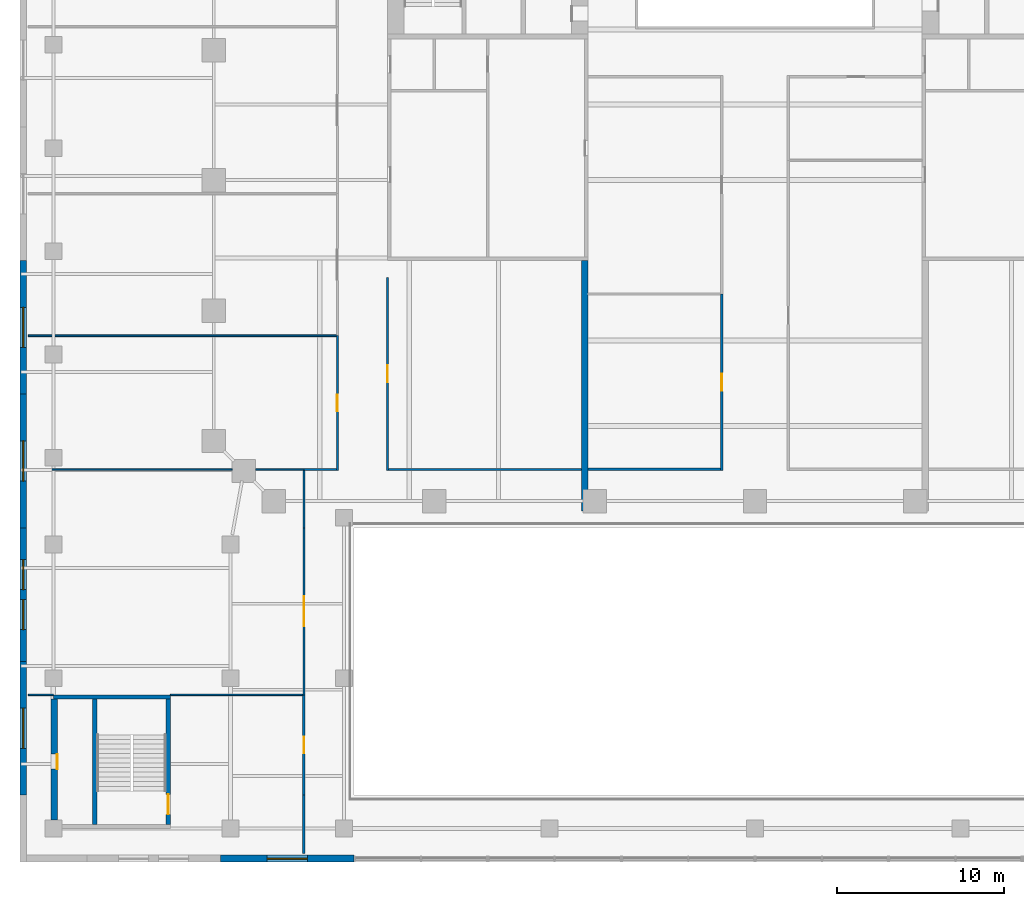
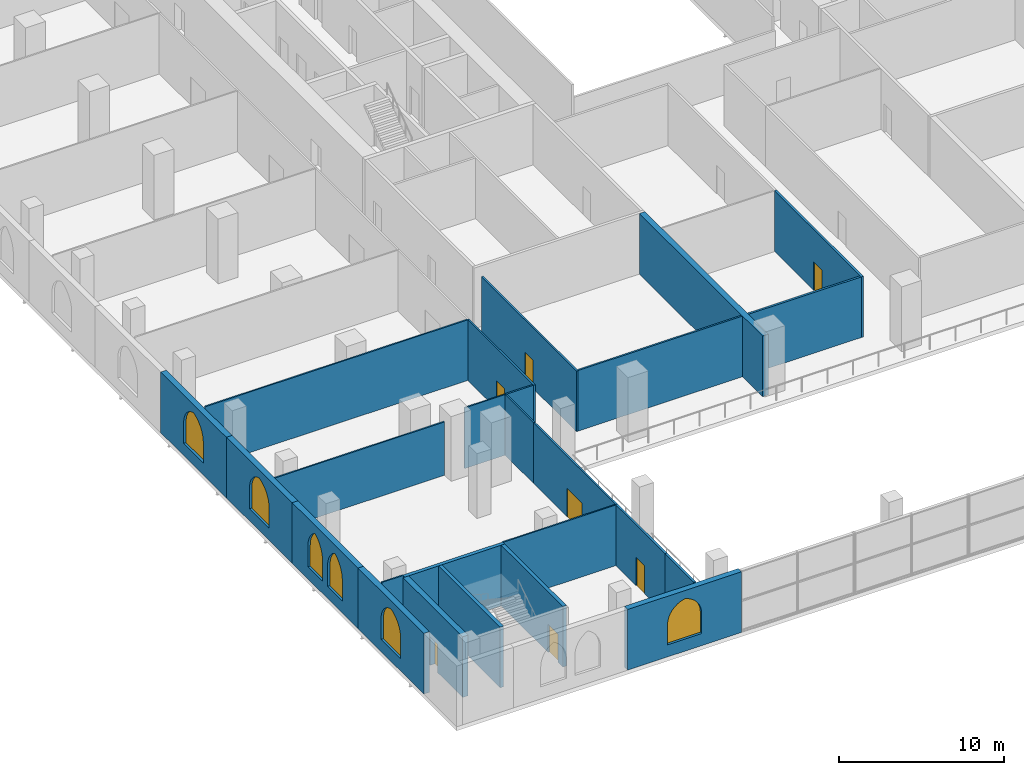
# One storey, part 8 of 19: 25 walls, 7 doors, 6 windows, 13 openings.
"""IFC4 building model written with IfcOpenShell, lengths in metres."""

from ifc_helpers import new_model, si_unit, direction, frame, frame_2d, origin, place, context, subcontext, project, spatial, polyline, rectangle, outline, extrude, material, layer, layer_set, type_object, element, fill, save


model = new_model("IFC4")

# Units and contexts
model_context = context("Model", 3, precision=1e-05, world=origin(), true_north=direction((0.0, 1.0)))
body_context = subcontext(model_context, "Body", "Model", "MODEL_VIEW")
ifc_project = project(units=[si_unit("LENGTHUNIT", "METRE"), si_unit("AREAUNIT", "SQUARE_METRE"), si_unit("VOLUMEUNIT", "CUBIC_METRE"), si_unit("PLANEANGLEUNIT", "RADIAN"), si_unit("MASSUNIT", "GRAM", prefix="KILO")], contexts=[model_context])

# Site, building, storey
site_placement = place(None, origin())
site = spatial("IfcSite", under=ifc_project, at=site_placement, CompositionType="ELEMENT")
building_placement = place(site_placement, origin())
building = spatial("IfcBuilding", under=site, at=building_placement, Name="Ogive Exchange Tower", CompositionType="ELEMENT")
storey_placement = place(building_placement, frame((0.0, 0.0, 19.199951171875)))
storey = spatial("IfcBuildingStorey", under=building, at=storey_placement, Name="L03", CompositionType="ELEMENT", Elevation=19.199951171875)

# Walls
ifc_material_1 = material(Name="Concrete C70/85", Category="concrete")
ifc_layer_1 = layer(ifc_material_1, 0.39990234375)
ifc_layer_set_1 = layer_set([ifc_layer_1], Name="Concrete C70/85 spine wall 400")
wall_type_1 = type_object("IfcWallType", Name="Concrete C70/85 spine wall 400", PredefinedType="SHEAR", material=ifc_layer_set_1)
wall_1_placement = place(storey_placement, frame((-10.199951171875, -31.0, 0.0), z_axis=(0.0, 0.0, 1.0), x_axis=(0.0, 1.0, 0.0)))
element("IfcWall", 1, at=wall_1_placement, inside=storey, type_object=wall_type_1, Name="Spine wall SW", PredefinedType="SHEAR", context=body_context, shape_type="SweptSolid", body=[
    extrude(rectangle(XDim=15.0, YDim=0.39990234375, at=frame_2d((7.5, 0.0))), origin(), (0.0, 0.0, 1.0), 4.5),
])
ifc_material_2 = material(Name="Fire partition EI 60 150")
ifc_layer_2 = layer(ifc_material_2, 0.14990234375)
ifc_layer_set_2 = layer_set([ifc_layer_2], Name="Fire partition EI 60 150")
wall_type_2 = type_object("IfcWallType", Name="Fire partition EI 60 150", PredefinedType="PARTITIONING", material=ifc_layer_set_2)
wall_2_placement = place(storey_placement, frame((-10.0, -28.5, 0.0), z_axis=(0.0, 0.0, 1.0), x_axis=(1.0, 0.0, 0.0)))
element("IfcWall", 2, at=wall_2_placement, inside=storey, type_object=wall_type_2, Name="L03-PWL-009", PredefinedType="PARTITIONING", context=body_context, shape_type="SweptSolid", body=[
    extrude(rectangle(XDim=7.925048828125, YDim=0.14990234375, at=frame_2d((3.96240234375, 0.0))), origin(), (0.0, 0.0, 1.0), 4.5),
])
wall_3_placement = place(storey_placement, frame((-27.0, -51.5, 0.0), z_axis=(0.0, 0.0, 1.0), x_axis=(0.0, 1.0, 0.0)))
element("IfcWall", 3, at=wall_3_placement, inside=storey, type_object=wall_type_2, Name="L03-PWL-039", PredefinedType="PARTITIONING", context=body_context, shape_type="SweptSolid", body=[
    extrude(rectangle(XDim=3.5, YDim=0.14990234375, at=frame_2d((1.75, 0.0))), origin(), (0.0, 0.0, 1.0), 4.5),
])

# Wall, opening, door
wall_4_placement = place(storey_placement, frame((-27.0, -48.0, 0.0), z_axis=(0.0, 0.0, 1.0), x_axis=(0.0, 1.0, 0.0)))
wall_4 = element("IfcWall", 4, at=wall_4_placement, inside=storey, type_object=wall_type_2, Name="L03-PWL-040", PredefinedType="PARTITIONING", context=body_context, shape_type="SweptSolid", body=[
    extrude(rectangle(XDim=6.0, YDim=0.14990234375, at=frame_2d((3.0, 0.0))), origin(), (0.0, 0.0, 1.0), 4.5),
])
opening_1_placement = place(wall_4_placement, frame((2.5, 0.0, 0.0)))
opening_1 = element("IfcOpeningElement", 5, at=opening_1_placement, cuts=wall_4, Name="Opening L03-I14", PredefinedType="OPENING", context=body_context, shape_type="SweptSolid", body=[
    extrude(rectangle(XDim=1.0, YDim=2.10009765625, at=frame_2d((0.5, 1.050048828125))), frame((0.0, 0.0849609375, 0.0), z_axis=(0.0, -1.0, 0.0), x_axis=(1.0, 0.0, 0.0)), (0.0, 0.0, 1.0), 0.169921875),
])
ifc_material_3 = material(Name="Fire door FD 30S 1000 x 2100")
door_type_1 = type_object("IfcDoorType", Name="Fire door FD 30S 1000 x 2100", OperationType="NOTDEFINED", PredefinedType="DOOR", material=ifc_material_3)
door_1_placement = place(opening_1_placement, origin())
door_1 = element("IfcDoor", 6, at=door_1_placement, inside=storey, type_object=door_type_1, Name="L03-IDR-014", ObjectType="DT3", OperationType="SINGLE_SWING_LEFT", OverallHeight=2.10009765625, OverallWidth=1.0, PredefinedType="DOOR", context=body_context, shape_type="SweptSolid", body=[
    extrude(rectangle(XDim=1.0, YDim=2.10009765625, at=frame_2d((0.5, 1.050048828125))), frame((0.0, 0.02490234375, 0.0), z_axis=(0.0, -1.0, 0.0), x_axis=(1.0, 0.0, 0.0)), (0.0, 0.0, 1.0), 0.050048828125),
])
fill(opening_1, door_1)

wall_5_placement = place(storey_placement, frame((-2.0, -28.574951171875, 0.0), z_axis=(0.0, 0.0, 1.0), x_axis=(0.0, 1.0, 0.0)))
wall_5 = element("IfcWall", 7, at=wall_5_placement, inside=storey, type_object=wall_type_2, Name="L03-PWL-051", PredefinedType="PARTITIONING", context=body_context, shape_type="SweptSolid", body=[
    extrude(rectangle(XDim=10.574951171875, YDim=0.14990234375, at=frame_2d((5.28759765625, 0.0))), origin(), (0.0, 0.0, 1.0), 4.5),
])
opening_2_placement = place(wall_5_placement, frame((4.78759765625, 0.0, 0.0)))
opening_2 = element("IfcOpeningElement", 8, at=opening_2_placement, cuts=wall_5, Name="Opening L03-I20", PredefinedType="OPENING", context=body_context, shape_type="SweptSolid", body=[
    extrude(rectangle(XDim=1.0, YDim=2.10009765625, at=frame_2d((0.5, 1.050048828125))), frame((0.0, 0.0849609375, 0.0), z_axis=(0.0, -1.0, 0.0), x_axis=(1.0, 0.0, 0.0)), (0.0, 0.0, 1.0), 0.169921875),
])
door_2_placement = place(opening_2_placement, origin())
door_2 = element("IfcDoor", 9, at=door_2_placement, inside=storey, type_object=door_type_1, Name="L03-IDR-020", ObjectType="DT3", OperationType="SINGLE_SWING_LEFT", OverallHeight=2.10009765625, OverallWidth=1.0, PredefinedType="DOOR", context=body_context, shape_type="SweptSolid", body=[
    extrude(rectangle(XDim=1.0, YDim=2.10009765625, at=frame_2d((0.5, 1.050048828125))), frame((0.0, 0.02490234375, 0.0), z_axis=(0.0, -1.0, 0.0), x_axis=(1.0, 0.0, 0.0)), (0.0, 0.0, 1.0), 0.050048828125),
])
fill(opening_2, door_2)

# Walls
ifc_material_4 = material(Name="Glazed fire partition EI 60 120")
ifc_layer_3 = layer(ifc_material_4, 0.1201171875)
ifc_layer_set_3 = layer_set([ifc_layer_3], Name="Glazed fire partition EI 60 120")
wall_type_3 = type_object("IfcWallType", Name="Glazed fire partition EI 60 120", PredefinedType="PARTITIONING", material=ifc_layer_set_3)
wall_6_placement = place(storey_placement, frame((-27.0, -28.5, 0.0), z_axis=(0.0, 0.0, 1.0), x_axis=(1.0, 0.0, 0.0)))
element("IfcWall", 10, at=wall_6_placement, inside=storey, type_object=wall_type_3, Name="L03-PWL-007", PredefinedType="PARTITIONING", context=body_context, shape_type="SweptSolid", body=[
    extrude(rectangle(XDim=1.93994140625, YDim=0.1201171875, at=frame_2d((0.969970703125, 0.0))), origin(), (0.0, 0.0, 1.0), 4.5),
])
wall_7_placement = place(storey_placement, frame((-21.93994140625, -28.5, 0.0), z_axis=(0.0, 0.0, 1.0), x_axis=(1.0, 0.0, 0.0)))
element("IfcWall", 11, at=wall_7_placement, inside=storey, type_object=wall_type_3, Name="L03-PWL-008", PredefinedType="PARTITIONING", context=body_context, shape_type="SweptSolid", body=[
    extrude(rectangle(XDim=11.5400390625, YDim=0.1201171875, at=frame_2d((5.77001953125, 0.0))), origin(), (0.0, 0.0, 1.0), 4.5),
])

# Wall, opening, door
wall_8_placement = place(storey_placement, frame((-27.0, -42.0, 0.0), z_axis=(0.0, 0.0, 1.0), x_axis=(0.0, 1.0, 0.0)))
wall_8 = element("IfcWall", 12, at=wall_8_placement, inside=storey, type_object=wall_type_3, Name="L03-PWL-041", PredefinedType="PARTITIONING", context=body_context, shape_type="SweptSolid", body=[
    extrude(rectangle(XDim=10.0, YDim=0.1201171875, at=frame_2d((5.0, 0.0))), origin(), (0.0, 0.0, 1.0), 4.5),
])
opening_3_placement = place(wall_8_placement, frame((4.10009765625, 0.0, 0.0)))
opening_3 = element("IfcOpeningElement", 13, at=opening_3_placement, cuts=wall_8, Name="Opening L03-I15", PredefinedType="OPENING", context=body_context, shape_type="SweptSolid", body=[
    extrude(rectangle(XDim=1.800048828125, YDim=2.10009765625, at=frame_2d((0.89990234375, 1.050048828125))), frame((0.0, 0.070068359375, 0.0), z_axis=(0.0, -1.0, 0.0), x_axis=(1.0, 0.0, 0.0)), (0.0, 0.0, 1.0), 0.14013671875),
])
ifc_material_5 = material(Name="Fire door FD 30S 1800 x 2100")
door_type_2 = type_object("IfcDoorType", Name="Fire door FD 30S 1800 x 2100", OperationType="DOUBLE_DOOR_SINGLE_SWING", PredefinedType="DOOR", material=ifc_material_5)
door_3_placement = place(opening_3_placement, origin())
door_3 = element("IfcDoor", 14, at=door_3_placement, inside=storey, type_object=door_type_2, Name="L03-IDR-015", ObjectType="DT4", OperationType="SINGLE_SWING_LEFT", OverallHeight=2.10009765625, OverallWidth=1.800048828125, PredefinedType="DOOR", context=body_context, shape_type="SweptSolid", body=[
    extrude(rectangle(XDim=1.800048828125, YDim=2.10009765625, at=frame_2d((0.89990234375, 1.050048828125))), frame((0.0, 0.02490234375, 0.0), z_axis=(0.0, -1.0, 0.0), x_axis=(1.0, 0.0, 0.0)), (0.0, 0.0, 1.0), 0.050048828125),
])
fill(opening_3, door_3)

# Wall
wall_9_placement = place(storey_placement, frame((-27.0, -32.0, 0.0), z_axis=(0.0, 0.0, 1.0), x_axis=(0.0, 1.0, 0.0)))
element("IfcWall", 15, at=wall_9_placement, inside=storey, type_object=wall_type_3, Name="L03-PWL-042", PredefinedType="PARTITIONING", context=body_context, shape_type="SweptSolid", body=[
    extrude(rectangle(XDim=3.43994140625, YDim=0.1201171875, at=frame_2d((1.719970703125, 0.0))), origin(), (0.0, 0.0, 1.0), 4.5),
])

# Wall, opening, door
wall_10_placement = place(storey_placement, frame((-25.0, -28.56005859375, 0.0), z_axis=(0.0, 0.0, 1.0), x_axis=(0.0, 1.0, 0.0)))
wall_10 = element("IfcWall", 16, at=wall_10_placement, inside=storey, type_object=wall_type_3, Name="L03-PWL-043", PredefinedType="PARTITIONING", context=body_context, shape_type="SweptSolid", body=[
    extrude(rectangle(XDim=8.06005859375, YDim=0.1201171875, at=frame_2d((4.030029296875, 0.0))), origin(), (0.0, 0.0, 1.0), 4.5),
])
opening_4_placement = place(wall_10_placement, frame((3.530029296875, 0.0, 0.0)))
opening_4 = element("IfcOpeningElement", 17, at=opening_4_placement, cuts=wall_10, Name="Opening L03-I03", PredefinedType="OPENING", context=body_context, shape_type="SweptSolid", body=[
    extrude(rectangle(XDim=1.0, YDim=2.10009765625, at=frame_2d((0.5, 1.050048828125))), frame((0.0, 0.070068359375, 0.0), z_axis=(0.0, -1.0, 0.0), x_axis=(1.0, 0.0, 0.0)), (0.0, 0.0, 1.0), 0.14013671875),
])
door_4_placement = place(opening_4_placement, origin())
door_4 = element("IfcDoor", 18, at=door_4_placement, inside=storey, type_object=door_type_1, Name="L03-IDR-003", ObjectType="DT3", OperationType="SINGLE_SWING_LEFT", OverallHeight=2.10009765625, OverallWidth=1.0, PredefinedType="DOOR", context=body_context, shape_type="SweptSolid", body=[
    extrude(rectangle(XDim=1.0, YDim=2.10009765625, at=frame_2d((0.5, 1.050048828125))), frame((0.0, 0.02490234375, 0.0), z_axis=(0.0, -1.0, 0.0), x_axis=(1.0, 0.0, 0.0)), (0.0, 0.0, 1.0), 0.050048828125),
])
fill(opening_4, door_4)

wall_11_placement = place(storey_placement, frame((-22.0, -28.56005859375, 0.0), z_axis=(0.0, 0.0, 1.0), x_axis=(0.0, 1.0, 0.0)))
wall_11 = element("IfcWall", 19, at=wall_11_placement, inside=storey, type_object=wall_type_3, Name="L03-PWL-050", PredefinedType="PARTITIONING", context=body_context, shape_type="SweptSolid", body=[
    extrude(rectangle(XDim=11.56005859375, YDim=0.1201171875, at=frame_2d((5.780029296875, 0.0))), origin(), (0.0, 0.0, 1.0), 4.5),
])
opening_5_placement = place(wall_11_placement, frame((5.280029296875, 0.0, 0.0)))
opening_5 = element("IfcOpeningElement", 20, at=opening_5_placement, cuts=wall_11, Name="Opening L03-I18", PredefinedType="OPENING", context=body_context, shape_type="SweptSolid", body=[
    extrude(rectangle(XDim=1.0, YDim=2.10009765625, at=frame_2d((0.5, 1.050048828125))), frame((0.0, 0.070068359375, 0.0), z_axis=(0.0, -1.0, 0.0), x_axis=(1.0, 0.0, 0.0)), (0.0, 0.0, 1.0), 0.14013671875),
])
door_5_placement = place(opening_5_placement, frame((1.0, 0.0, 0.0), z_axis=(0.0, 0.0, 1.0), x_axis=(-1.0, 0.0, 0.0)))
door_5 = element("IfcDoor", 21, at=door_5_placement, inside=storey, type_object=door_type_1, Name="L03-IDR-018", ObjectType="DT3", OperationType="SINGLE_SWING_LEFT", OverallHeight=2.10009765625, OverallWidth=1.0, PredefinedType="DOOR", context=body_context, shape_type="SweptSolid", body=[
    extrude(rectangle(XDim=1.0, YDim=2.10009765625, at=frame_2d((0.5, 1.050048828125))), frame((0.0, 0.02490234375, 0.0), z_axis=(0.0, -1.0, 0.0), x_axis=(1.0, 0.0, 0.0)), (0.0, 0.0, 1.0), 0.050048828125),
])
fill(opening_5, door_5)

# Wall, opening, window
ifc_material_6 = material(Name="Precast concrete C40/50", Category="concrete")
ifc_layer_4 = layer(ifc_material_6, 0.39990234375)
ifc_layer_set_4 = layer_set([ifc_layer_4], Name="Limestone-faced wall 400")
wall_type_4 = type_object("IfcWallType", Name="Limestone-faced wall 400", PredefinedType="STANDARD", material=ifc_layer_set_4)
wall_12_placement = place(storey_placement, frame((-32.0, -51.800048828125, 0.0), z_axis=(0.0, 0.0, 1.0), x_axis=(1.0, 0.0, 0.0)))
wall_12 = element("IfcWall", 22, at=wall_12_placement, inside=storey, type_object=wall_type_4, Name="Podium wall S3", PredefinedType="STANDARD", context=body_context, shape_type="SweptSolid", body=[
    extrude(rectangle(XDim=8.0, YDim=0.39990234375, at=frame_2d((4.0, 0.0))), origin(), (0.0, 0.0, 1.0), 4.5),
])
opening_6_placement = place(wall_12_placement, frame((2.800048828125, 0.0, 0.89990234375)))
opening_6 = element("IfcOpeningElement", 23, at=opening_6_placement, cuts=wall_12, Name="Opening WP300", PredefinedType="OPENING", context=body_context, shape_type="SweptSolid", body=[
    extrude(outline(polyline([(0.0, 0.0), (2.39990234375, 0.0), (2.39990234375, 1.5), (2.378173828125, 1.758056640625), (2.313232421875, 2.009033203125), (2.207275390625, 2.245361328125), (2.06298828125, 2.46044921875), (1.884765625, 2.6484375), (1.677490234375, 2.8037109375), (1.447021484375, 2.922119140625), (1.199951171875, 3.0), (0.952880859375, 2.922119140625), (0.722412109375, 2.8037109375), (0.51513671875, 2.6484375), (0.3369140625, 2.46044921875), (0.192626953125, 2.245361328125), (0.086669921875, 2.009033203125), (0.021728515625, 1.758056640625), (0.0, 1.5), (0.0, 0.0)])), frame((0.0, 0.2099609375, 0.0), z_axis=(0.0, -1.0, 0.0), x_axis=(1.0, 0.0, 0.0)), (0.0, 0.0, 1.0), 0.419921875),
])
ifc_material_7 = material(Name="Clear glass in bronze frame", Category="glass")
window_type_1 = type_object("IfcWindowType", Name="Podium lancet window 2400 x 3000", PartitioningType="DOUBLE_PANEL_VERTICAL", PredefinedType="WINDOW", material=ifc_material_7)
window_1_placement = place(opening_6_placement, origin())
window_1 = element("IfcWindow", 24, at=window_1_placement, inside=storey, type_object=window_type_1, Name="Podium window S3", OverallHeight=3.0, OverallWidth=2.39990234375, PartitioningType="DOUBLE_PANEL_VERTICAL", PredefinedType="WINDOW", context=body_context, shape_type="SweptSolid", body=[
    extrude(outline(polyline([(0.0, 0.0), (2.39990234375, 0.0), (2.39990234375, 1.5), (2.378173828125, 1.758056640625), (2.313232421875, 2.009033203125), (2.207275390625, 2.245361328125), (2.06298828125, 2.46044921875), (1.884765625, 2.6484375), (1.677490234375, 2.8037109375), (1.447021484375, 2.922119140625), (1.199951171875, 3.0), (0.952880859375, 2.922119140625), (0.722412109375, 2.8037109375), (0.51513671875, 2.6484375), (0.3369140625, 2.46044921875), (0.192626953125, 2.245361328125), (0.086669921875, 2.009033203125), (0.021728515625, 1.758056640625), (0.0, 1.5), (0.0, 0.0)])), frame((0.0, 0.030029296875, 0.0), z_axis=(0.0, -1.0, 0.0), x_axis=(1.0, 0.0, 0.0)), (0.0, 0.0, 1.0), 0.06005859375),
])
fill(opening_6, window_1)

wall_13_placement = place(storey_placement, frame((-43.800048828125, -16.0, 0.0), z_axis=(0.0, 0.0, 1.0), x_axis=(0.0, -1.0, 0.0)))
wall_13 = element("IfcWall", 25, at=wall_13_placement, inside=storey, type_object=wall_type_4, Name="Podium wall W8", PredefinedType="STANDARD", context=body_context, shape_type="SweptSolid", body=[
    extrude(rectangle(XDim=8.0, YDim=0.39990234375, at=frame_2d((4.0, 0.0))), origin(), (0.0, 0.0, 1.0), 4.5),
])
opening_7_placement = place(wall_13_placement, frame((2.800048828125, 0.0, 0.89990234375)))
opening_7 = element("IfcOpeningElement", 26, at=opening_7_placement, cuts=wall_13, Name="Opening WP300", PredefinedType="OPENING", context=body_context, shape_type="SweptSolid", body=[
    extrude(outline(polyline([(0.0, 0.0), (2.39990234375, 0.0), (2.39990234375, 1.5), (2.378173828125, 1.758056640625), (2.313232421875, 2.009033203125), (2.207275390625, 2.245361328125), (2.06298828125, 2.46044921875), (1.884765625, 2.6484375), (1.677490234375, 2.8037109375), (1.447021484375, 2.922119140625), (1.199951171875, 3.0), (0.952880859375, 2.922119140625), (0.722412109375, 2.8037109375), (0.51513671875, 2.6484375), (0.3369140625, 2.46044921875), (0.192626953125, 2.245361328125), (0.086669921875, 2.009033203125), (0.021728515625, 1.758056640625), (0.0, 1.5), (0.0, 0.0)])), frame((0.0, 0.2099609375, 0.0), z_axis=(0.0, -1.0, 0.0), x_axis=(1.0, 0.0, 0.0)), (0.0, 0.0, 1.0), 0.419921875),
])
window_2_placement = place(opening_7_placement, origin())
window_2 = element("IfcWindow", 27, at=window_2_placement, inside=storey, type_object=window_type_1, Name="Podium window W8", OverallHeight=3.0, OverallWidth=2.39990234375, PartitioningType="DOUBLE_PANEL_VERTICAL", PredefinedType="WINDOW", context=body_context, shape_type="SweptSolid", body=[
    extrude(outline(polyline([(0.0, 0.0), (2.39990234375, 0.0), (2.39990234375, 1.5), (2.378173828125, 1.758056640625), (2.313232421875, 2.009033203125), (2.207275390625, 2.245361328125), (2.06298828125, 2.46044921875), (1.884765625, 2.6484375), (1.677490234375, 2.8037109375), (1.447021484375, 2.922119140625), (1.199951171875, 3.0), (0.952880859375, 2.922119140625), (0.722412109375, 2.8037109375), (0.51513671875, 2.6484375), (0.3369140625, 2.46044921875), (0.192626953125, 2.245361328125), (0.086669921875, 2.009033203125), (0.021728515625, 1.758056640625), (0.0, 1.5), (0.0, 0.0)])), frame((0.0, 0.030029296875, 0.0), z_axis=(0.0, -1.0, 0.0), x_axis=(1.0, 0.0, 0.0)), (0.0, 0.0, 1.0), 0.06005859375),
])
fill(opening_7, window_2)

wall_14_placement = place(storey_placement, frame((-43.800048828125, -24.0, 0.0), z_axis=(0.0, 0.0, 1.0), x_axis=(0.0, -1.0, 0.0)))
wall_14 = element("IfcWall", 28, at=wall_14_placement, inside=storey, type_object=wall_type_4, Name="Podium wall W9", PredefinedType="STANDARD", context=body_context, shape_type="SweptSolid", body=[
    extrude(rectangle(XDim=8.0, YDim=0.39990234375, at=frame_2d((4.0, 0.0))), origin(), (0.0, 0.0, 1.0), 4.5),
])
opening_8_placement = place(wall_14_placement, frame((2.800048828125, 0.0, 0.89990234375)))
opening_8 = element("IfcOpeningElement", 29, at=opening_8_placement, cuts=wall_14, Name="Opening WP300", PredefinedType="OPENING", context=body_context, shape_type="SweptSolid", body=[
    extrude(outline(polyline([(0.0, 0.0), (2.39990234375, 0.0), (2.39990234375, 1.5), (2.378173828125, 1.758056640625), (2.313232421875, 2.009033203125), (2.207275390625, 2.245361328125), (2.06298828125, 2.46044921875), (1.884765625, 2.6484375), (1.677490234375, 2.8037109375), (1.447021484375, 2.922119140625), (1.199951171875, 3.0), (0.952880859375, 2.922119140625), (0.722412109375, 2.8037109375), (0.51513671875, 2.6484375), (0.3369140625, 2.46044921875), (0.192626953125, 2.245361328125), (0.086669921875, 2.009033203125), (0.021728515625, 1.758056640625), (0.0, 1.5), (0.0, 0.0)])), frame((0.0, 0.2099609375, 0.0), z_axis=(0.0, -1.0, 0.0), x_axis=(1.0, 0.0, 0.0)), (0.0, 0.0, 1.0), 0.419921875),
])
window_3_placement = place(opening_8_placement, origin())
window_3 = element("IfcWindow", 30, at=window_3_placement, inside=storey, type_object=window_type_1, Name="Podium window W9", OverallHeight=3.0, OverallWidth=2.39990234375, PartitioningType="DOUBLE_PANEL_VERTICAL", PredefinedType="WINDOW", context=body_context, shape_type="SweptSolid", body=[
    extrude(outline(polyline([(0.0, 0.0), (2.39990234375, 0.0), (2.39990234375, 1.5), (2.378173828125, 1.758056640625), (2.313232421875, 2.009033203125), (2.207275390625, 2.245361328125), (2.06298828125, 2.46044921875), (1.884765625, 2.6484375), (1.677490234375, 2.8037109375), (1.447021484375, 2.922119140625), (1.199951171875, 3.0), (0.952880859375, 2.922119140625), (0.722412109375, 2.8037109375), (0.51513671875, 2.6484375), (0.3369140625, 2.46044921875), (0.192626953125, 2.245361328125), (0.086669921875, 2.009033203125), (0.021728515625, 1.758056640625), (0.0, 1.5), (0.0, 0.0)])), frame((0.0, 0.030029296875, 0.0), z_axis=(0.0, -1.0, 0.0), x_axis=(1.0, 0.0, 0.0)), (0.0, 0.0, 1.0), 0.06005859375),
])
fill(opening_8, window_3)

# Wall, openings, windows
wall_15_placement = place(storey_placement, frame((-43.800048828125, -32.0, 0.0), z_axis=(0.0, 0.0, 1.0), x_axis=(0.0, -1.0, 0.0)))
wall_15 = element("IfcWall", 31, at=wall_15_placement, inside=storey, type_object=wall_type_4, Name="Podium wall W10", PredefinedType="STANDARD", context=body_context, shape_type="SweptSolid", body=[
    extrude(rectangle(XDim=8.0, YDim=0.39990234375, at=frame_2d((4.0, 0.0))), origin(), (0.0, 0.0, 1.0), 4.5),
])
opening_9_placement = place(wall_15_placement, frame((1.89990234375, 0.0, 0.89990234375)))
opening_9 = element("IfcOpeningElement", 32, at=opening_9_placement, cuts=wall_15, Name="Opening WQ300", PredefinedType="OPENING", context=body_context, shape_type="SweptSolid", body=[
    extrude(outline(polyline([(0.0, 0.0), (1.800048828125, 0.0), (1.800048828125, 1.5), (1.78466796875, 1.72900390625), (1.73828125, 1.953857421875), (1.662353515625, 2.17041015625), (1.557861328125, 2.374755859375), (1.4267578125, 2.56298828125), (1.271484375, 2.73193359375), (1.0947265625, 2.878662109375), (0.89990234375, 3.0), (0.705322265625, 2.878662109375), (0.528564453125, 2.73193359375), (0.373291015625, 2.56298828125), (0.2421875, 2.374755859375), (0.1376953125, 2.17041015625), (0.061767578125, 1.953857421875), (0.015380859375, 1.72900390625), (0.0, 1.5), (0.0, 0.0)])), frame((0.0, 0.2099609375, 0.0), z_axis=(0.0, -1.0, 0.0), x_axis=(1.0, 0.0, 0.0)), (0.0, 0.0, 1.0), 0.419921875),
])
opening_10_placement = place(wall_15_placement, frame((4.300048828125, 0.0, 0.89990234375)))
opening_10 = element("IfcOpeningElement", 33, at=opening_10_placement, cuts=wall_15, Name="Opening WQ300", PredefinedType="OPENING", context=body_context, shape_type="SweptSolid", body=[
    extrude(outline(polyline([(0.0, 0.0), (1.800048828125, 0.0), (1.800048828125, 1.5), (1.78466796875, 1.72900390625), (1.73828125, 1.953857421875), (1.662353515625, 2.17041015625), (1.557861328125, 2.374755859375), (1.4267578125, 2.56298828125), (1.271484375, 2.73193359375), (1.0947265625, 2.878662109375), (0.89990234375, 3.0), (0.705322265625, 2.878662109375), (0.528564453125, 2.73193359375), (0.373291015625, 2.56298828125), (0.2421875, 2.374755859375), (0.1376953125, 2.17041015625), (0.061767578125, 1.953857421875), (0.015380859375, 1.72900390625), (0.0, 1.5), (0.0, 0.0)])), frame((0.0, 0.2099609375, 0.0), z_axis=(0.0, -1.0, 0.0), x_axis=(1.0, 0.0, 0.0)), (0.0, 0.0, 1.0), 0.419921875),
])
window_type_2 = type_object("IfcWindowType", Name="Podium paired lancet 1800 x 3000", PartitioningType="DOUBLE_PANEL_VERTICAL", PredefinedType="WINDOW", material=ifc_material_7)
window_4_placement = place(opening_9_placement, origin())
window_4 = element("IfcWindow", 34, at=window_4_placement, inside=storey, type_object=window_type_2, Name="Podium paired lancet W10.1", OverallHeight=3.0, OverallWidth=1.800048828125, PartitioningType="DOUBLE_PANEL_VERTICAL", PredefinedType="WINDOW", context=body_context, shape_type="SweptSolid", body=[
    extrude(outline(polyline([(0.0, 0.0), (1.800048828125, 0.0), (1.800048828125, 1.5), (1.78466796875, 1.72900390625), (1.73828125, 1.953857421875), (1.662353515625, 2.17041015625), (1.557861328125, 2.374755859375), (1.4267578125, 2.56298828125), (1.271484375, 2.73193359375), (1.0947265625, 2.878662109375), (0.89990234375, 3.0), (0.705322265625, 2.878662109375), (0.528564453125, 2.73193359375), (0.373291015625, 2.56298828125), (0.2421875, 2.374755859375), (0.1376953125, 2.17041015625), (0.061767578125, 1.953857421875), (0.015380859375, 1.72900390625), (0.0, 1.5), (0.0, 0.0)])), frame((0.0, 0.030029296875, 0.0), z_axis=(0.0, -1.0, 0.0), x_axis=(1.0, 0.0, 0.0)), (0.0, 0.0, 1.0), 0.06005859375),
])
fill(opening_9, window_4)
window_5_placement = place(opening_10_placement, origin())
window_5 = element("IfcWindow", 35, at=window_5_placement, inside=storey, type_object=window_type_2, Name="Podium paired lancet W10.2", OverallHeight=3.0, OverallWidth=1.800048828125, PartitioningType="DOUBLE_PANEL_VERTICAL", PredefinedType="WINDOW", context=body_context, shape_type="SweptSolid", body=[
    extrude(outline(polyline([(0.0, 0.0), (1.800048828125, 0.0), (1.800048828125, 1.5), (1.78466796875, 1.72900390625), (1.73828125, 1.953857421875), (1.662353515625, 2.17041015625), (1.557861328125, 2.374755859375), (1.4267578125, 2.56298828125), (1.271484375, 2.73193359375), (1.0947265625, 2.878662109375), (0.89990234375, 3.0), (0.705322265625, 2.878662109375), (0.528564453125, 2.73193359375), (0.373291015625, 2.56298828125), (0.2421875, 2.374755859375), (0.1376953125, 2.17041015625), (0.061767578125, 1.953857421875), (0.015380859375, 1.72900390625), (0.0, 1.5), (0.0, 0.0)])), frame((0.0, 0.030029296875, 0.0), z_axis=(0.0, -1.0, 0.0), x_axis=(1.0, 0.0, 0.0)), (0.0, 0.0, 1.0), 0.06005859375),
])
fill(opening_10, window_5)

# Wall, opening, window
wall_16_placement = place(storey_placement, frame((-43.800048828125, -40.0, 0.0), z_axis=(0.0, 0.0, 1.0), x_axis=(0.0, -1.0, 0.0)))
wall_16 = element("IfcWall", 36, at=wall_16_placement, inside=storey, type_object=wall_type_4, Name="Podium wall W11", PredefinedType="STANDARD", context=body_context, shape_type="SweptSolid", body=[
    extrude(rectangle(XDim=8.0, YDim=0.39990234375, at=frame_2d((4.0, 0.0))), origin(), (0.0, 0.0, 1.0), 4.5),
])
opening_11_placement = place(wall_16_placement, frame((2.800048828125, 0.0, 0.89990234375)))
opening_11 = element("IfcOpeningElement", 37, at=opening_11_placement, cuts=wall_16, Name="Opening WP300", PredefinedType="OPENING", context=body_context, shape_type="SweptSolid", body=[
    extrude(outline(polyline([(0.0, 0.0), (2.39990234375, 0.0), (2.39990234375, 1.5), (2.378173828125, 1.758056640625), (2.313232421875, 2.009033203125), (2.207275390625, 2.245361328125), (2.06298828125, 2.46044921875), (1.884765625, 2.6484375), (1.677490234375, 2.8037109375), (1.447021484375, 2.922119140625), (1.199951171875, 3.0), (0.952880859375, 2.922119140625), (0.722412109375, 2.8037109375), (0.51513671875, 2.6484375), (0.3369140625, 2.46044921875), (0.192626953125, 2.245361328125), (0.086669921875, 2.009033203125), (0.021728515625, 1.758056640625), (0.0, 1.5), (0.0, 0.0)])), frame((0.0, 0.2099609375, 0.0), z_axis=(0.0, -1.0, 0.0), x_axis=(1.0, 0.0, 0.0)), (0.0, 0.0, 1.0), 0.419921875),
])
window_6_placement = place(opening_11_placement, origin())
window_6 = element("IfcWindow", 38, at=window_6_placement, inside=storey, type_object=window_type_1, Name="Podium window W11", OverallHeight=3.0, OverallWidth=2.39990234375, PartitioningType="DOUBLE_PANEL_VERTICAL", PredefinedType="WINDOW", context=body_context, shape_type="SweptSolid", body=[
    extrude(outline(polyline([(0.0, 0.0), (2.39990234375, 0.0), (2.39990234375, 1.5), (2.378173828125, 1.758056640625), (2.313232421875, 2.009033203125), (2.207275390625, 2.245361328125), (2.06298828125, 2.46044921875), (1.884765625, 2.6484375), (1.677490234375, 2.8037109375), (1.447021484375, 2.922119140625), (1.199951171875, 3.0), (0.952880859375, 2.922119140625), (0.722412109375, 2.8037109375), (0.51513671875, 2.6484375), (0.3369140625, 2.46044921875), (0.192626953125, 2.245361328125), (0.086669921875, 2.009033203125), (0.021728515625, 1.758056640625), (0.0, 1.5), (0.0, 0.0)])), frame((0.0, 0.030029296875, 0.0), z_axis=(0.0, -1.0, 0.0), x_axis=(1.0, 0.0, 0.0)), (0.0, 0.0, 1.0), 0.06005859375),
])
fill(opening_11, window_6)

# Walls
ifc_material_8 = material(Name="Partition 100 gypsum")
ifc_layer_5 = layer(ifc_material_8, 0.10009765625)
ifc_layer_set_5 = layer_set([ifc_layer_5], Name="Partition 100 gypsum")
wall_type_5 = type_object("IfcWallType", Name="Partition 100 gypsum", PredefinedType="PARTITIONING", material=ifc_layer_set_5)
wall_17_placement = place(storey_placement, frame((-43.5, -42.0, 0.0), z_axis=(0.0, 0.0, 1.0), x_axis=(1.0, 0.0, 0.0)))
element("IfcWall", 39, at=wall_17_placement, inside=storey, type_object=wall_type_5, Name="L03-PWL-001", PredefinedType="PARTITIONING", context=body_context, shape_type="SweptSolid", body=[
    extrude(rectangle(XDim=1.5, YDim=0.10009765625, at=frame_2d((0.75, 0.0))), origin(), (0.0, 0.0, 1.0), 4.5),
])
wall_18_placement = place(storey_placement, frame((-35.0, -42.0, 0.0), z_axis=(0.0, 0.0, 1.0), x_axis=(1.0, 0.0, 0.0)))
element("IfcWall", 40, at=wall_18_placement, inside=storey, type_object=wall_type_5, Name="L03-PWL-002", PredefinedType="PARTITIONING", context=body_context, shape_type="SweptSolid", body=[
    extrude(rectangle(XDim=7.925048828125, YDim=0.10009765625, at=frame_2d((3.96240234375, 0.0))), origin(), (0.0, 0.0, 1.0), 4.5),
])
wall_19_placement = place(storey_placement, frame((-43.5, -28.5, 0.0), z_axis=(0.0, 0.0, 1.0), x_axis=(1.0, 0.0, 0.0)))
element("IfcWall", 41, at=wall_19_placement, inside=storey, type_object=wall_type_5, Name="L03-PWL-005", PredefinedType="PARTITIONING", context=body_context, shape_type="SweptSolid", body=[
    extrude(rectangle(XDim=12.199951171875, YDim=0.10009765625, at=frame_2d((6.10009765625, 0.0))), origin(), (0.0, 0.0, 1.0), 3.964111328125),
])
wall_20_placement = place(storey_placement, frame((-29.89990234375, -28.5, 0.0), z_axis=(0.0, 0.0, 1.0), x_axis=(1.0, 0.0, 0.0)))
element("IfcWall", 42, at=wall_20_placement, inside=storey, type_object=wall_type_5, Name="L03-PWL-006", PredefinedType="PARTITIONING", context=body_context, shape_type="SweptSolid", body=[
    extrude(rectangle(XDim=2.89990234375, YDim=0.10009765625, at=frame_2d((1.449951171875, 0.0))), origin(), (0.0, 0.0, 1.0), 4.5),
])
wall_21_placement = place(storey_placement, frame((-43.5, -20.5, 0.0), z_axis=(0.0, 0.0, 1.0), x_axis=(1.0, 0.0, 0.0)))
element("IfcWall", 43, at=wall_21_placement, inside=storey, type_object=wall_type_5, Name="L03-PWL-015", PredefinedType="PARTITIONING", context=body_context, shape_type="SweptSolid", body=[
    extrude(rectangle(XDim=18.43994140625, YDim=0.10009765625, at=frame_2d((9.219970703125, 0.0))), origin(), (0.0, 0.0, 1.0), 4.5),
])
ifc_layer_6 = layer(ifc_material_1, 0.25)
ifc_layer_set_6 = layer_set([ifc_layer_6], Name="RC core wall 250 C70/85")
wall_type_6 = type_object("IfcWallType", Name="RC core wall 250 C70/85", PredefinedType="SHEAR", material=ifc_layer_set_6)
wall_22_placement = place(storey_placement, frame((-42.0, -42.125, 0.0), z_axis=(0.0, 0.0, 1.0), x_axis=(1.0, 0.0, 0.0)))
element("IfcWall", 44, at=wall_22_placement, inside=storey, type_object=wall_type_6, Name="PS1 north wall", PredefinedType="SHEAR", context=body_context, shape_type="SweptSolid", body=[
    extrude(rectangle(XDim=7.0, YDim=0.25, at=frame_2d((3.5, 0.0))), origin(), (0.0, 0.0, 1.0), 4.5),
])

# Wall, opening, door
wall_23_placement = place(storey_placement, frame((-35.125, -49.75, 0.0), z_axis=(0.0, 0.0, 1.0), x_axis=(0.0, 1.0, 0.0)))
wall_23 = element("IfcWall", 45, at=wall_23_placement, inside=storey, type_object=wall_type_6, Name="PS1 east wall", PredefinedType="SHEAR", context=body_context, shape_type="SweptSolid", body=[
    extrude(rectangle(XDim=7.5, YDim=0.25, at=frame_2d((3.75, 0.0))), origin(), (0.0, 0.0, 1.0), 4.5),
])
opening_12_placement = place(wall_23_placement, frame((0.60009765625, 0.0, 0.0)))
opening_12 = element("IfcOpeningElement", 46, at=opening_12_placement, cuts=wall_23, Name="Opening L03-C45", PredefinedType="OPENING", context=body_context, shape_type="SweptSolid", body=[
    extrude(rectangle(XDim=1.199951171875, YDim=2.10009765625, at=frame_2d((0.60009765625, 1.050048828125))), frame((0.0, 0.135009765625, 0.0), z_axis=(0.0, -1.0, 0.0), x_axis=(1.0, 0.0, 0.0)), (0.0, 0.0, 1.0), 0.27001953125),
])
ifc_material_9 = material(Name="Steel fire door", Category="steel")
door_type_3 = type_object("IfcDoorType", Name="Stair door FD90 1200 x 2100", OperationType="NOTDEFINED", PredefinedType="DOOR", material=ifc_material_9)
door_6_placement = place(opening_12_placement, origin())
door_6 = element("IfcDoor", 47, at=door_6_placement, inside=storey, type_object=door_type_3, Name="Stair door", ObjectType="CD5", OperationType="SINGLE_SWING_RIGHT", OverallHeight=2.10009765625, OverallWidth=1.199951171875, PredefinedType="DOOR", context=body_context, shape_type="SweptSolid", body=[
    extrude(rectangle(XDim=1.199951171875, YDim=2.10009765625, at=frame_2d((0.60009765625, 1.050048828125))), frame((0.0, 0.02490234375, 0.0), z_axis=(0.0, -1.0, 0.0), x_axis=(1.0, 0.0, 0.0)), (0.0, 0.0, 1.0), 0.050048828125),
])
fill(opening_12, door_6)

# Wall
wall_24_placement = place(storey_placement, frame((-39.52490234375, -49.75, 0.0), z_axis=(0.0, 0.0, 1.0), x_axis=(0.0, 1.0, 0.0)))
element("IfcWall", 48, at=wall_24_placement, inside=storey, type_object=wall_type_6, Name="PS1 partition wall", PredefinedType="SHEAR", context=body_context, shape_type="SweptSolid", body=[
    extrude(rectangle(XDim=7.5, YDim=0.25, at=frame_2d((3.75, 0.0))), origin(), (0.0, 0.0, 1.0), 4.5),
])

# Wall, opening, door
ifc_layer_7 = layer(ifc_material_1, 0.383544921875)
ifc_layer_set_7 = layer_set([ifc_layer_7], Name="RC core wall 384 C70/85")
wall_type_7 = type_object("IfcWallType", Name="RC core wall 384 C70/85", PredefinedType="SHEAR", material=ifc_layer_set_7)
wall_25_placement = place(storey_placement, frame((-41.941650390625, -49.5, 0.0), z_axis=(0.0, 0.0, 1.0), x_axis=(0.0, 1.0, 0.0)))
wall_25 = element("IfcWall", 49, at=wall_25_placement, inside=storey, type_object=wall_type_7, Name="PS1 west wall", PredefinedType="SHEAR", context=body_context, shape_type="SweptSolid", body=[
    extrude(rectangle(XDim=7.25, YDim=0.383544921875, at=frame_2d((3.625, 0.0))), origin(), (0.0, 0.0, 1.0), 4.5),
])
opening_13_placement = place(wall_25_placement, frame((3.050048828125, 0.0, 0.0)))
opening_13 = element("IfcOpeningElement", 50, at=opening_13_placement, cuts=wall_25, Name="Opening L03-C46", PredefinedType="OPENING", context=body_context, shape_type="SweptSolid", body=[
    extrude(rectangle(XDim=0.89990234375, YDim=2.10009765625, at=frame_2d((0.449951171875, 1.050048828125))), frame((0.0, 0.20166015625, 0.0), z_axis=(0.0, -1.0, 0.0), x_axis=(1.0, 0.0, 0.0)), (0.0, 0.0, 1.0), 0.403564453125),
])
door_type_4 = type_object("IfcDoorType", Name="Riser door FD60 900 x 2100", OperationType="NOTDEFINED", PredefinedType="DOOR", material=ifc_material_9)
door_7_placement = place(opening_13_placement, origin())
door_7 = element("IfcDoor", 51, at=door_7_placement, inside=storey, type_object=door_type_4, Name="Riser door", ObjectType="CD2", OperationType="SINGLE_SWING_LEFT", OverallHeight=2.10009765625, OverallWidth=0.89990234375, PredefinedType="DOOR", context=body_context, shape_type="SweptSolid", body=[
    extrude(rectangle(XDim=0.89990234375, YDim=2.10009765625, at=frame_2d((0.449951171875, 1.050048828125))), frame((0.0, -0.1416015625, 0.0), z_axis=(0.0, -1.0, 0.0), x_axis=(1.0, 0.0, 0.0)), (0.0, 0.0, 1.0), 0.050048828125),
])
fill(opening_13, door_7)

save(model, "model.ifc")
